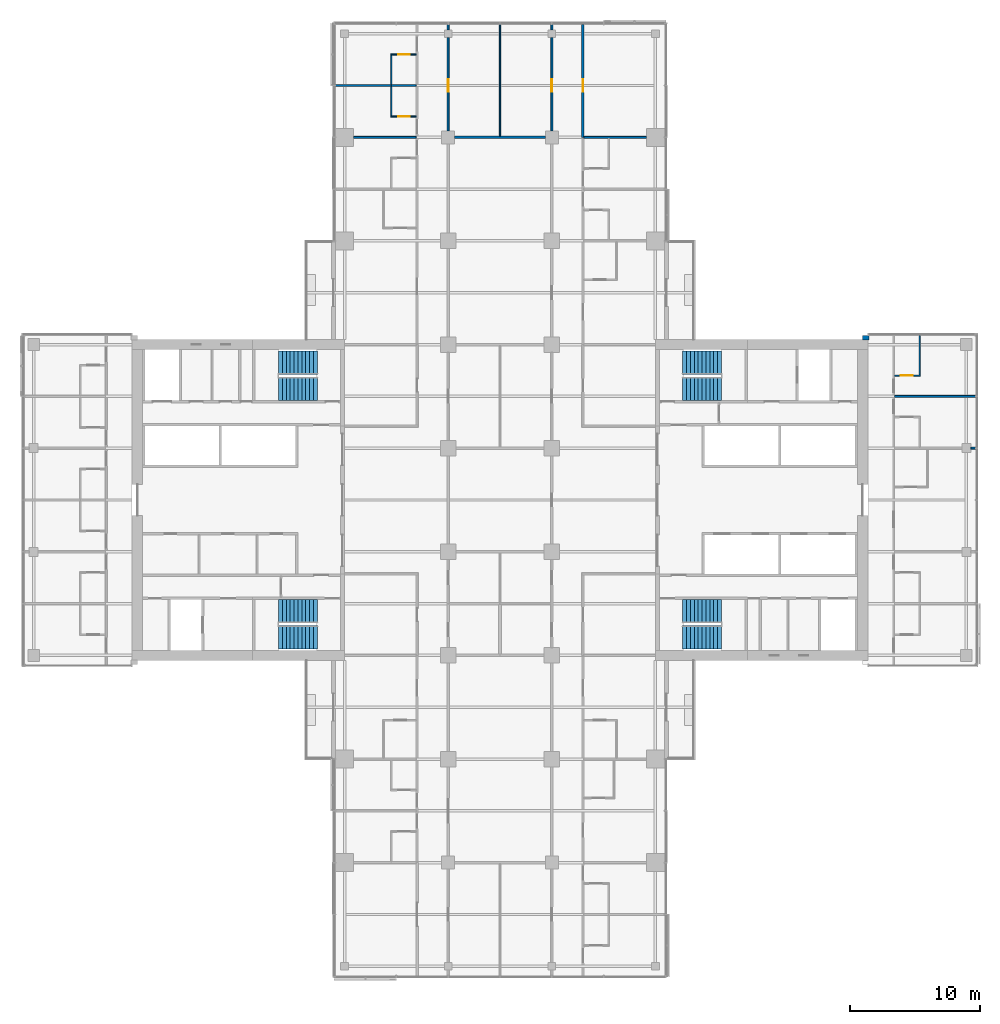
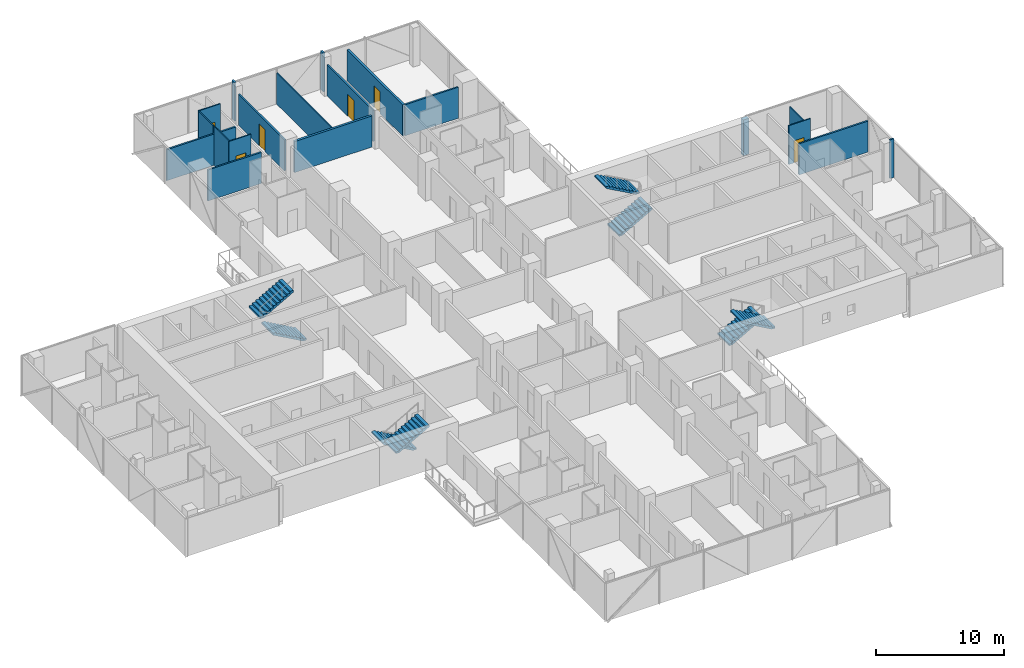
# One storey, part 22 of 27: 19 walls, 8 stair flights, 6 doors, 6 openings, 4 elements without a shape of their own.
"""IFC4 building model written with IfcOpenShell, lengths in metres."""

from ifc_helpers import new_model, si_unit, direction, frame, frame_2d, origin, place, context, subcontext, project, spatial, polyline, rectangle, outline, extrude, material, layer, layer_set, type_object, element, fill, aggregate, save


model = new_model("IFC4")

# Units and contexts
model_context = context("Model", 3, precision=1e-05, world=origin(), true_north=direction((0.0, 1.0)))
body_context = subcontext(model_context, "Body", "Model", "MODEL_VIEW")
ifc_project = project(units=[si_unit("LENGTHUNIT", "METRE"), si_unit("AREAUNIT", "SQUARE_METRE"), si_unit("VOLUMEUNIT", "CUBIC_METRE"), si_unit("PLANEANGLEUNIT", "RADIAN"), si_unit("MASSUNIT", "GRAM", prefix="KILO")], contexts=[model_context])

# Site, building, storey
site_placement = place(None, origin())
site = spatial("IfcSite", under=ifc_project, at=site_placement, CompositionType="ELEMENT")
building_placement = place(site_placement, origin())
building = spatial("IfcBuilding", under=site, at=building_placement, Name="Crosswind Convention Tower", CompositionType="ELEMENT")
storey_placement = place(building_placement, frame((0.0, 0.0, 68.300048828125)))
storey = spatial("IfcBuildingStorey", under=building, at=storey_placement, Name="L11", CompositionType="ELEMENT", Elevation=68.300048828125)

# Wall, opening, door
ifc_material_1 = material(Name="Plasterboard partition", Category="gypsum")
ifc_layer_1 = layer(ifc_material_1, 0.14990234375)
ifc_layer_set_1 = layer_set([ifc_layer_1], Name="CORRIDOR WALL 150")
wall_type_1 = type_object("IfcWallType", Name="CORRIDOR WALL 150", PredefinedType="PARTITIONING", material=ifc_layer_set_1)
wall_1_placement = place(storey_placement, frame((121.0, 128.5, 0.0), z_axis=(0.0, 0.0, 1.0), x_axis=(0.0, 1.0, 0.0)))
wall_1 = element("IfcWall", 1, at=wall_1_placement, inside=storey, type_object=wall_type_1, Name="Corridor Wall 97", PredefinedType="PARTITIONING", context=body_context, shape_type="SweptSolid", body=[
    extrude(rectangle(XDim=7.199951171875, YDim=0.14990234375, at=frame_2d((3.60009765625, 0.0))), origin(), (0.0, 0.0, 1.0), 2.959716796875),
])
opening_1_placement = place(wall_1_placement, frame((3.0, 0.0, 0.0)))
opening_1 = element("IfcOpeningElement", 2, at=opening_1_placement, cuts=wall_1, Name="Opening 11.068", PredefinedType="OPENING", context=body_context, shape_type="SweptSolid", body=[
    extrude(rectangle(XDim=1.0, YDim=2.10009765625, at=frame_2d((0.5, 1.050048828125))), frame((0.0, 0.0849609375, 0.0), z_axis=(0.0, -1.0, 0.0), x_axis=(1.0, 0.0, 0.0)), (0.0, 0.0, 1.0), 0.169921875),
])
ifc_material_2 = material(Name="Timber fire door", Category="wood")
door_type_1 = type_object("IfcDoorType", Name="SERVICE ROOM DOOR 1000X2100", OperationType="NOTDEFINED", PredefinedType="DOOR", material=ifc_material_2)
door_1_placement = place(opening_1_placement, frame((1.0, 0.0, 0.0), z_axis=(0.0, 0.0, 1.0), x_axis=(-1.0, 0.0, 0.0)))
door_1 = element("IfcDoor", 3, at=door_1_placement, inside=storey, type_object=door_type_1, Name="Door 11.068", ObjectType="D3", OperationType="SINGLE_SWING_RIGHT", OverallHeight=2.10009765625, OverallWidth=1.0, PredefinedType="DOOR", context=body_context, shape_type="SweptSolid", body=[
    extrude(rectangle(XDim=1.0, YDim=2.10009765625, at=frame_2d((0.5, 1.050048828125))), frame((0.0, 0.02490234375, 0.0), z_axis=(0.0, -1.0, 0.0), x_axis=(1.0, 0.0, 0.0)), (0.0, 0.0, 1.0), 0.050048828125),
])
fill(opening_1, door_1)

# Wall
wall_2_placement = place(storey_placement, frame((121.0, 136.300048828125, 0.0), z_axis=(0.0, 0.0, 1.0), x_axis=(0.0, 1.0, 0.0)))
element("IfcWall", 4, at=wall_2_placement, inside=storey, type_object=wall_type_1, Name="Corridor Wall 98", PredefinedType="PARTITIONING", context=body_context, shape_type="SweptSolid", body=[
    extrude(rectangle(XDim=0.39990234375, YDim=0.14990234375, at=frame_2d((0.199951171875, 0.0))), origin(), (0.0, 0.0, 1.0), 3.699951171875),
])

# Wall, opening, door
wall_3_placement = place(storey_placement, frame((129.0, 128.5, 0.0), z_axis=(0.0, 0.0, 1.0), x_axis=(0.0, 1.0, 0.0)))
wall_3 = element("IfcWall", 5, at=wall_3_placement, inside=storey, type_object=wall_type_1, Name="Corridor Wall 113", PredefinedType="PARTITIONING", context=body_context, shape_type="SweptSolid", body=[
    extrude(rectangle(XDim=7.199951171875, YDim=0.14990234375, at=frame_2d((3.60009765625, 0.0))), origin(), (0.0, 0.0, 1.0), 2.959716796875),
])
opening_2_placement = place(wall_3_placement, frame((3.0, 0.0, 0.0)))
opening_2 = element("IfcOpeningElement", 6, at=opening_2_placement, cuts=wall_3, Name="Opening 11.069", PredefinedType="OPENING", context=body_context, shape_type="SweptSolid", body=[
    extrude(rectangle(XDim=1.0, YDim=2.10009765625, at=frame_2d((0.5, 1.050048828125))), frame((0.0, 0.0849609375, 0.0), z_axis=(0.0, -1.0, 0.0), x_axis=(1.0, 0.0, 0.0)), (0.0, 0.0, 1.0), 0.169921875),
])
door_2_placement = place(opening_2_placement, origin())
door_2 = element("IfcDoor", 7, at=door_2_placement, inside=storey, type_object=door_type_1, Name="Door 11.069", ObjectType="D3", OperationType="SINGLE_SWING_LEFT", OverallHeight=2.10009765625, OverallWidth=1.0, PredefinedType="DOOR", context=body_context, shape_type="SweptSolid", body=[
    extrude(rectangle(XDim=1.0, YDim=2.10009765625, at=frame_2d((0.5, 1.050048828125))), frame((0.0, 0.02490234375, 0.0), z_axis=(0.0, -1.0, 0.0), x_axis=(1.0, 0.0, 0.0)), (0.0, 0.0, 1.0), 0.050048828125),
])
fill(opening_2, door_2)

# Walls
wall_4_placement = place(storey_placement, frame((129.0, 136.300048828125, 0.0), z_axis=(0.0, 0.0, 1.0), x_axis=(0.0, 1.0, 0.0)))
element("IfcWall", 8, at=wall_4_placement, inside=storey, type_object=wall_type_1, Name="Corridor Wall 114", PredefinedType="PARTITIONING", context=body_context, shape_type="SweptSolid", body=[
    extrude(rectangle(XDim=0.39990234375, YDim=0.14990234375, at=frame_2d((0.199951171875, 0.0))), origin(), (0.0, 0.0, 1.0), 3.699951171875),
])
ifc_material_3 = material(Name="Acoustic plasterboard partition", Category="gypsum")
ifc_layer_2 = layer(ifc_material_3, 0.14990234375)
ifc_layer_set_2 = layer_set([ifc_layer_2], Name="GUEST ROOM WALL 150")
wall_type_2 = type_object("IfcWallType", Name="GUEST ROOM WALL 150", PredefinedType="PARTITIONING", material=ifc_layer_set_2)
wall_5_placement = place(storey_placement, frame((161.35009765625, 104.0, 0.0), z_axis=(0.0, 0.0, 1.0), x_axis=(1.0, 0.0, 0.0)))
element("IfcWall", 9, at=wall_5_placement, inside=storey, type_object=wall_type_2, Name="Guest Room Wall 42", PredefinedType="PARTITIONING", context=body_context, shape_type="SweptSolid", body=[
    extrude(rectangle(XDim=0.349853515625, YDim=0.14990234375, at=frame_2d((0.1748046875, 0.0))), origin(), (0.0, 0.0, 1.0), 3.699951171875),
])
wall_6_placement = place(storey_placement, frame((155.47509765625, 108.0, 0.0), z_axis=(0.0, 0.0, 1.0), x_axis=(1.0, 0.0, 0.0)))
element("IfcWall", 10, at=wall_6_placement, inside=storey, type_object=wall_type_2, Name="Guest Room Wall 48", PredefinedType="PARTITIONING", context=body_context, shape_type="SweptSolid", body=[
    extrude(rectangle(XDim=6.224853515625, YDim=0.14990234375, at=frame_2d((3.1123046875, 0.0))), origin(), (0.0, 0.0, 1.0), 2.962646484375),
])
for number, where, z_axis, x_axis, name in (
    (11, (113.699951171875, 128.0, 0.0), (0.0, 0.0, 1.0), (1.0, 0.0, 0.0), "Guest Room Wall 62"),
    (12, (131.47509765625, 128.0, 0.0), (0.0, 0.0, 1.0), (1.0, 0.0, 0.0), "Guest Room Wall 64"),
):
    element("IfcWall", number, at=place(storey_placement, frame(where, z_axis=z_axis, x_axis=x_axis)), inside=storey, type_object=wall_type_2, Name=name, PredefinedType="PARTITIONING", context=body_context, shape_type="SweptSolid", body=[
        extrude(rectangle(XDim=4.824951171875, YDim=0.14990234375, at=frame_2d((2.41259765625, 0.0))), origin(), (0.0, 0.0, 1.0), 2.959716796875),
    ])
wall_7_placement = place(storey_placement, frame((112.300048828125, 132.0, 0.0), z_axis=(0.0, 0.0, 1.0), x_axis=(1.0, 0.0, 0.0)))
element("IfcWall", 13, at=wall_7_placement, inside=storey, type_object=wall_type_2, Name="Guest Room Wall 66", PredefinedType="PARTITIONING", context=body_context, shape_type="SweptSolid", body=[
    extrude(rectangle(XDim=6.224853515625, YDim=0.14990234375, at=frame_2d((3.1123046875, 0.0))), origin(), (0.0, 0.0, 1.0), 2.962646484375),
])
ifc_material_4 = material(Name="Double plasterboard partition", Category="gypsum")
ifc_layer_3 = layer(ifc_material_4, 0.199951171875)
ifc_layer_set_3 = layer_set([ifc_layer_3], Name="HALL WALL 200")
wall_type_3 = type_object("IfcWallType", Name="HALL WALL 200", PredefinedType="PARTITIONING", material=ifc_layer_set_3)
wall_8_placement = place(storey_placement, frame((121.5, 128.0, 0.0), z_axis=(0.0, 0.0, 1.0), x_axis=(1.0, 0.0, 0.0)))
element("IfcWall", 14, at=wall_8_placement, inside=storey, type_object=wall_type_3, Name="Hall Wall 63", PredefinedType="PARTITIONING", context=body_context, shape_type="SweptSolid", body=[
    extrude(rectangle(XDim=7.0, YDim=0.199951171875, at=frame_2d((3.5, 0.0))), origin(), (0.0, 0.0, 1.0), 2.959716796875),
])

# Wall, opening, door
wall_9_placement = place(storey_placement, frame((131.39990234375, 128.0, 0.0), z_axis=(0.0, 0.0, 1.0), x_axis=(0.0, 1.0, 0.0)))
wall_9 = element("IfcWall", 15, at=wall_9_placement, inside=storey, type_object=wall_type_3, Name="Hall Wall 119", PredefinedType="PARTITIONING", context=body_context, shape_type="SweptSolid", body=[
    extrude(rectangle(XDim=8.699951171875, YDim=0.199951171875, at=frame_2d((4.35009765625, 0.0))), origin(), (0.0, 0.0, 1.0), 2.959716796875),
])
opening_3_placement = place(wall_9_placement, frame((3.5, 0.0, 0.0)))
opening_3 = element("IfcOpeningElement", 16, at=opening_3_placement, cuts=wall_9, Name="Opening 11.011", PredefinedType="OPENING", context=body_context, shape_type="SweptSolid", body=[
    extrude(rectangle(XDim=1.0, YDim=2.10009765625, at=frame_2d((0.5, 1.050048828125))), frame((0.0, 0.10986328125, 0.0), z_axis=(0.0, -1.0, 0.0), x_axis=(1.0, 0.0, 0.0)), (0.0, 0.0, 1.0), 0.219970703125),
])
door_type_2 = type_object("IfcDoorType", Name="MEETING ROOM DOOR 1000X2100", OperationType="NOTDEFINED", PredefinedType="DOOR", material=ifc_material_2)
door_3_placement = place(opening_3_placement, origin())
door_3 = element("IfcDoor", 17, at=door_3_placement, inside=storey, type_object=door_type_2, Name="Door 11.011", ObjectType="D13", OperationType="SINGLE_SWING_RIGHT", OverallHeight=2.10009765625, OverallWidth=1.0, PredefinedType="DOOR", context=body_context, shape_type="SweptSolid", body=[
    extrude(rectangle(XDim=1.0, YDim=2.10009765625, at=frame_2d((0.5, 1.050048828125))), frame((0.0, 0.02490234375, 0.0), z_axis=(0.0, -1.0, 0.0), x_axis=(1.0, 0.0, 0.0)), (0.0, 0.0, 1.0), 0.050048828125),
])
fill(opening_3, door_3)

# Walls
ifc_layer_4 = layer(ifc_material_1, 0.10009765625)
ifc_layer_set_4 = layer_set([ifc_layer_4], Name="PARTITION 100")
wall_type_4 = type_object("IfcWallType", Name="PARTITION 100", PredefinedType="PARTITIONING", material=ifc_layer_set_4)
wall_10_placement = place(storey_placement, frame((125.0, 128.10009765625, 0.0), z_axis=(0.0, 0.0, 1.0), x_axis=(0.0, 1.0, 0.0)))
element("IfcWall", 18, at=wall_10_placement, inside=storey, type_object=wall_type_4, Name="Partition 103", PredefinedType="PARTITIONING", context=body_context, shape_type="SweptSolid", body=[
    extrude(rectangle(XDim=8.599853515625, YDim=0.10009765625, at=frame_2d((4.2998046875, 0.0))), origin(), (0.0, 0.0, 1.0), 2.962646484375),
])
ifc_material_5 = material(Name="Terracotta rainscreen", Category="ceramic")
ifc_layer_5 = layer(ifc_material_5, 0.02001953125)
ifc_material_6 = material(Name="Mineral wool insulation", Category="insulation")
ifc_layer_6 = layer(ifc_material_6, 0.10009765625)
ifc_material_7 = material(Name="Concrete blockwork", Category="masonry")
ifc_layer_7 = layer(ifc_material_7, 0.236083984375)
ifc_layer_set_5 = layer_set([ifc_layer_5, ifc_layer_6, ifc_layer_7], Name="TERRACOTTA CORNER INFILL WALL 356")
wall_type_5 = type_object("IfcWallType", Name="TERRACOTTA CORNER INFILL WALL 356", PredefinedType="SOLIDWALL", material=ifc_layer_set_5)
wall_11_placement = place(storey_placement, frame((153.0, 112.52197265625, 0.0), z_axis=(0.0, 0.0, 1.0), x_axis=(1.0, 0.0, 0.0)))
element("IfcWall", 19, at=wall_11_placement, inside=storey, type_object=wall_type_5, Name="Core corner infill wall L11 1", PredefinedType="SOLIDWALL", context=body_context, shape_type="SweptSolid", body=[
    extrude(rectangle(XDim=0.5048828125, YDim=0.35595703125, at=frame_2d((0.25244140625, 0.0))), origin(), (0.0, 0.0, 1.0), 3.419921875),
])

# Wall, opening, door
ifc_material_8 = material(Name="Water-resistant plasterboard partition", Category="gypsum")
ifc_layer_8 = layer(ifc_material_8, 0.10009765625)
ifc_layer_set_6 = layer_set([ifc_layer_8], Name="WET ROOM PARTITION 100")
wall_type_6 = type_object("IfcWallType", Name="WET ROOM PARTITION 100", PredefinedType="PLUMBINGWALL", material=ifc_layer_set_6)
wall_12_placement = place(storey_placement, frame((155.47509765625, 109.60009765625, 0.0), z_axis=(0.0, 0.0, 1.0), x_axis=(1.0, 0.0, 0.0)))
wall_12 = element("IfcWall", 20, at=wall_12_placement, inside=storey, type_object=wall_type_6, Name="Wet Room Partition 49", PredefinedType="PLUMBINGWALL", context=body_context, shape_type="SweptSolid", body=[
    extrude(rectangle(XDim=1.974853515625, YDim=0.10009765625, at=frame_2d((0.9873046875, 0.0))), origin(), (0.0, 0.0, 1.0), 3.699951171875),
])
opening_4_placement = place(wall_12_placement, frame((0.47509765625, 0.0, 0.0)))
opening_4 = element("IfcOpeningElement", 21, at=opening_4_placement, cuts=wall_12, Name="Opening 11.044", PredefinedType="OPENING", context=body_context, shape_type="SweptSolid", body=[
    extrude(rectangle(XDim=0.89990234375, YDim=2.10009765625, at=frame_2d((0.449951171875, 1.050048828125))), frame((0.0, 0.06005859375, 0.0), z_axis=(0.0, -1.0, 0.0), x_axis=(1.0, 0.0, 0.0)), (0.0, 0.0, 1.0), 0.1201171875),
])
ifc_material_9 = material(Name="Timber door", Category="wood")
door_type_3 = type_object("IfcDoorType", Name="EN-SUITE DOOR 900X2100", OperationType="NOTDEFINED", PredefinedType="DOOR", material=ifc_material_9)
door_4_placement = place(opening_4_placement, origin())
door_4 = element("IfcDoor", 22, at=door_4_placement, inside=storey, type_object=door_type_3, Name="Door 11.044", ObjectType="D2", OperationType="SINGLE_SWING_RIGHT", OverallHeight=2.10009765625, OverallWidth=0.89990234375, PredefinedType="DOOR", context=body_context, shape_type="SweptSolid", body=[
    extrude(rectangle(XDim=0.89990234375, YDim=2.10009765625, at=frame_2d((0.449951171875, 1.050048828125))), frame((0.0, 0.02490234375, 0.0), z_axis=(0.0, -1.0, 0.0), x_axis=(1.0, 0.0, 0.0)), (0.0, 0.0, 1.0), 0.050048828125),
])
fill(opening_4, door_4)

wall_13_placement = place(storey_placement, frame((116.550048828125, 129.60009765625, 0.0), z_axis=(0.0, 0.0, 1.0), x_axis=(1.0, 0.0, 0.0)))
wall_13 = element("IfcWall", 23, at=wall_13_placement, inside=storey, type_object=wall_type_6, Name="Wet Room Partition 65", PredefinedType="PLUMBINGWALL", context=body_context, shape_type="SweptSolid", body=[
    extrude(rectangle(XDim=1.974853515625, YDim=0.10009765625, at=frame_2d((0.9873046875, 0.0))), origin(), (0.0, 0.0, 1.0), 3.699951171875),
])
opening_5_placement = place(wall_13_placement, frame((0.60009765625, 0.0, 0.0)))
opening_5 = element("IfcOpeningElement", 24, at=opening_5_placement, cuts=wall_13, Name="Opening 11.017", PredefinedType="OPENING", context=body_context, shape_type="SweptSolid", body=[
    extrude(rectangle(XDim=0.89990234375, YDim=2.10009765625, at=frame_2d((0.449951171875, 1.050048828125))), frame((0.0, 0.06005859375, 0.0), z_axis=(0.0, -1.0, 0.0), x_axis=(1.0, 0.0, 0.0)), (0.0, 0.0, 1.0), 0.1201171875),
])
door_5_placement = place(opening_5_placement, origin())
door_5 = element("IfcDoor", 25, at=door_5_placement, inside=storey, type_object=door_type_3, Name="Door 11.017", ObjectType="D2", OperationType="SINGLE_SWING_RIGHT", OverallHeight=2.10009765625, OverallWidth=0.89990234375, PredefinedType="DOOR", context=body_context, shape_type="SweptSolid", body=[
    extrude(rectangle(XDim=0.89990234375, YDim=2.10009765625, at=frame_2d((0.449951171875, 1.050048828125))), frame((0.0, 0.02490234375, 0.0), z_axis=(0.0, -1.0, 0.0), x_axis=(1.0, 0.0, 0.0)), (0.0, 0.0, 1.0), 0.050048828125),
])
fill(opening_5, door_5)

wall_14_placement = place(storey_placement, frame((116.550048828125, 134.39990234375, 0.0), z_axis=(0.0, 0.0, 1.0), x_axis=(1.0, 0.0, 0.0)))
wall_14 = element("IfcWall", 26, at=wall_14_placement, inside=storey, type_object=wall_type_6, Name="Wet Room Partition 67", PredefinedType="PLUMBINGWALL", context=body_context, shape_type="SweptSolid", body=[
    extrude(rectangle(XDim=1.974853515625, YDim=0.10009765625, at=frame_2d((0.9873046875, 0.0))), origin(), (0.0, 0.0, 1.0), 3.699951171875),
])
opening_6_placement = place(wall_14_placement, frame((0.60009765625, 0.0, 0.0)))
opening_6 = element("IfcOpeningElement", 27, at=opening_6_placement, cuts=wall_14, Name="Opening 11.019", PredefinedType="OPENING", context=body_context, shape_type="SweptSolid", body=[
    extrude(rectangle(XDim=0.89990234375, YDim=2.10009765625, at=frame_2d((0.449951171875, 1.050048828125))), frame((0.0, 0.06005859375, 0.0), z_axis=(0.0, -1.0, 0.0), x_axis=(1.0, 0.0, 0.0)), (0.0, 0.0, 1.0), 0.1201171875),
])
door_6_placement = place(opening_6_placement, frame((0.89990234375, 0.0, 0.0), z_axis=(0.0, 0.0, 1.0), x_axis=(-1.0, 0.0, 0.0)))
door_6 = element("IfcDoor", 28, at=door_6_placement, inside=storey, type_object=door_type_3, Name="Door 11.019", ObjectType="D2", OperationType="SINGLE_SWING_LEFT", OverallHeight=2.10009765625, OverallWidth=0.89990234375, PredefinedType="DOOR", context=body_context, shape_type="SweptSolid", body=[
    extrude(rectangle(XDim=0.89990234375, YDim=2.10009765625, at=frame_2d((0.449951171875, 1.050048828125))), frame((0.0, 0.02490234375, 0.0), z_axis=(0.0, -1.0, 0.0), x_axis=(1.0, 0.0, 0.0)), (0.0, 0.0, 1.0), 0.050048828125),
])
fill(opening_6, door_6)

# Walls
for number, where, z_axis, x_axis, name in (
    (29, (116.60009765625, 129.64990234375, 0.0), (0.0, 0.0, 1.0), (0.0, 1.0, 0.0), "Wet Room Partition 80"),
    (30, (116.60009765625, 132.074951171875, 0.0), (0.0, 0.0, 1.0), (0.0, 1.0, 0.0), "Wet Room Partition 81"),
):
    element("IfcWall", number, at=place(storey_placement, frame(where, z_axis=z_axis, x_axis=x_axis)), inside=storey, type_object=wall_type_6, Name=name, PredefinedType="PLUMBINGWALL", context=body_context, shape_type="SweptSolid", body=[
        extrude(rectangle(XDim=2.275146484375, YDim=0.10009765625, at=frame_2d((1.1376953125, 0.0))), origin(), (0.0, 0.0, 1.0), 3.699951171875),
    ])
wall_15_placement = place(storey_placement, frame((157.39990234375, 109.64990234375, 0.0), z_axis=(0.0, 0.0, 1.0), x_axis=(0.0, 1.0, 0.0)))
element("IfcWall", 31, at=wall_15_placement, inside=storey, type_object=wall_type_6, Name="Wet Room Partition 131", PredefinedType="PLUMBINGWALL", context=body_context, shape_type="SweptSolid", body=[
    extrude(rectangle(XDim=3.050048828125, YDim=0.10009765625, at=frame_2d((1.52490234375, 0.0))), origin(), (0.0, 0.0, 1.0), 2.962646484375),
])

# Stair, stair flights
ifc_material_10 = material(Name="Concrete C40/50", Category="concrete")
stair_type = type_object("IfcStairType", Name="Exit stair 1800 wide, 2 flights of 11 risers", PredefinedType="HALF_TURN_STAIR", material=ifc_material_10)
stair_1_placement = place(storey_placement, origin())
stair_1 = element("IfcStair", 32, at=stair_1_placement, inside=storey, type_object=stair_type, Name="Exit stair ST1 L11", ObjectType="ST5", PredefinedType="HALF_TURN_STAIR")
stair_flight_type = type_object("IfcStairFlightType", Name="Stair flight 1800 wide, 11 risers (SF3)", PredefinedType="STRAIGHT", material=ifc_material_10)
stair_flight_1_placement = place(storey_placement, frame((139.10009765625, 108.60009765625, 0.0), z_axis=(0.0, 0.0, 1.0), x_axis=(1.0, 0.0, 0.0)))
stair_flight_1 = element("IfcStairFlight", 33, at=stair_flight_1_placement, type_object=stair_flight_type, Name="ST1 flight 1", NumberOfRisers=11, NumberOfTreads=10, PredefinedType="STRAIGHT", RiserHeight=0.168181818, TreadLength=0.3, context=body_context, shape_type="SweptSolid", body=[
    extrude(outline(polyline([(0.0, 0.0), (0.0, 0.168212890625), (0.300048828125, 0.168212890625), (0.300048828125, 0.33642578125), (0.60009765625, 0.33642578125), (0.60009765625, 0.504638671875), (0.89990234375, 0.504638671875), (0.89990234375, 0.672607421875), (1.199951171875, 0.672607421875), (1.199951171875, 0.8408203125), (1.5, 0.8408203125), (1.5, 1.009033203125), (1.800048828125, 1.009033203125), (1.800048828125, 1.17724609375), (2.10009765625, 1.17724609375), (2.10009765625, 1.345458984375), (2.39990234375, 1.345458984375), (2.39990234375, 1.513671875), (2.699951171875, 1.513671875), (2.699951171875, 1.681884765625), (3.0, 1.681884765625), (3.0, 1.85009765625), (3.0, 1.510009765625), (0.306640625, 0.0), (0.0, 0.0)])), frame((0.0, 0.89990234375, 0.0), z_axis=(0.0, -1.0, 0.0), x_axis=(1.0, 0.0, 0.0)), (0.0, 0.0, 1.0), 1.800048828125),
])
stair_flight_2_placement = place(storey_placement, frame((142.10009765625, 110.60009765625, 1.849853515625), z_axis=(0.0, 0.0, 1.0), x_axis=(-1.0, 0.0, 0.0)))
stair_flight_2 = element("IfcStairFlight", 34, at=stair_flight_2_placement, type_object=stair_flight_type, Name="ST1 flight 2", NumberOfRisers=11, NumberOfTreads=10, PredefinedType="STRAIGHT", RiserHeight=0.168181818, TreadLength=0.3, context=body_context, shape_type="SweptSolid", body=[
    extrude(outline(polyline([(0.0, 0.0), (0.0, 0.168212890625), (0.300048828125, 0.168212890625), (0.300048828125, 0.33642578125), (0.60009765625, 0.33642578125), (0.60009765625, 0.504638671875), (0.89990234375, 0.504638671875), (0.89990234375, 0.672607421875), (1.199951171875, 0.672607421875), (1.199951171875, 0.8408203125), (1.5, 0.8408203125), (1.5, 1.009033203125), (1.800048828125, 1.009033203125), (1.800048828125, 1.17724609375), (2.10009765625, 1.17724609375), (2.10009765625, 1.345458984375), (2.39990234375, 1.345458984375), (2.39990234375, 1.513671875), (2.699951171875, 1.513671875), (2.699951171875, 1.681884765625), (3.0, 1.681884765625), (3.0, 1.85009765625), (3.0, 1.510009765625), (0.306640625, 0.0), (0.0, 0.0)])), frame((0.0, 0.89990234375, 0.0), z_axis=(0.0, -1.0, 0.0), x_axis=(1.0, 0.0, 0.0)), (0.0, 0.0, 1.0), 1.800048828125),
])
aggregate(stair_1, [stair_flight_1, stair_flight_2])

stair_2_placement = place(storey_placement, origin())
stair_2 = element("IfcStair", 35, at=stair_2_placement, inside=storey, type_object=stair_type, Name="Exit stair ST2 L11", ObjectType="ST5", PredefinedType="HALF_TURN_STAIR")
stair_flight_3_placement = place(storey_placement, frame((139.10009765625, 91.39990234375, 0.0), z_axis=(0.0, 0.0, 1.0), x_axis=(1.0, 0.0, 0.0)))
stair_flight_3 = element("IfcStairFlight", 36, at=stair_flight_3_placement, type_object=stair_flight_type, Name="ST2 flight 1", NumberOfRisers=11, NumberOfTreads=10, PredefinedType="STRAIGHT", RiserHeight=0.168181818, TreadLength=0.3, context=body_context, shape_type="SweptSolid", body=[
    extrude(outline(polyline([(0.0, 0.0), (0.0, 0.168212890625), (0.300048828125, 0.168212890625), (0.300048828125, 0.33642578125), (0.60009765625, 0.33642578125), (0.60009765625, 0.504638671875), (0.89990234375, 0.504638671875), (0.89990234375, 0.672607421875), (1.199951171875, 0.672607421875), (1.199951171875, 0.8408203125), (1.5, 0.8408203125), (1.5, 1.009033203125), (1.800048828125, 1.009033203125), (1.800048828125, 1.17724609375), (2.10009765625, 1.17724609375), (2.10009765625, 1.345458984375), (2.39990234375, 1.345458984375), (2.39990234375, 1.513671875), (2.699951171875, 1.513671875), (2.699951171875, 1.681884765625), (3.0, 1.681884765625), (3.0, 1.85009765625), (3.0, 1.510009765625), (0.306640625, 0.0), (0.0, 0.0)])), frame((0.0, 0.89990234375, 0.0), z_axis=(0.0, -1.0, 0.0), x_axis=(1.0, 0.0, 0.0)), (0.0, 0.0, 1.0), 1.800048828125),
])
stair_flight_4_placement = place(storey_placement, frame((142.10009765625, 89.39990234375, 1.849853515625), z_axis=(0.0, 0.0, 1.0), x_axis=(-1.0, 0.0, 0.0)))
stair_flight_4 = element("IfcStairFlight", 37, at=stair_flight_4_placement, type_object=stair_flight_type, Name="ST2 flight 2", NumberOfRisers=11, NumberOfTreads=10, PredefinedType="STRAIGHT", RiserHeight=0.168181818, TreadLength=0.3, context=body_context, shape_type="SweptSolid", body=[
    extrude(outline(polyline([(0.0, 0.0), (0.0, 0.168212890625), (0.300048828125, 0.168212890625), (0.300048828125, 0.33642578125), (0.60009765625, 0.33642578125), (0.60009765625, 0.504638671875), (0.89990234375, 0.504638671875), (0.89990234375, 0.672607421875), (1.199951171875, 0.672607421875), (1.199951171875, 0.8408203125), (1.5, 0.8408203125), (1.5, 1.009033203125), (1.800048828125, 1.009033203125), (1.800048828125, 1.17724609375), (2.10009765625, 1.17724609375), (2.10009765625, 1.345458984375), (2.39990234375, 1.345458984375), (2.39990234375, 1.513671875), (2.699951171875, 1.513671875), (2.699951171875, 1.681884765625), (3.0, 1.681884765625), (3.0, 1.85009765625), (3.0, 1.510009765625), (0.306640625, 0.0), (0.0, 0.0)])), frame((0.0, 0.89990234375, 0.0), z_axis=(0.0, -1.0, 0.0), x_axis=(1.0, 0.0, 0.0)), (0.0, 0.0, 1.0), 1.800048828125),
])
aggregate(stair_2, [stair_flight_3, stair_flight_4])

stair_3_placement = place(storey_placement, origin())
stair_3 = element("IfcStair", 38, at=stair_3_placement, inside=storey, type_object=stair_type, Name="Exit stair ST3 L11", ObjectType="ST5", PredefinedType="HALF_TURN_STAIR")
stair_flight_5_placement = place(storey_placement, frame((110.89990234375, 91.39990234375, 0.0), z_axis=(0.0, 0.0, 1.0), x_axis=(-1.0, 0.0, 0.0)))
stair_flight_5 = element("IfcStairFlight", 39, at=stair_flight_5_placement, type_object=stair_flight_type, Name="ST3 flight 1", NumberOfRisers=11, NumberOfTreads=10, PredefinedType="STRAIGHT", RiserHeight=0.168181818, TreadLength=0.3, context=body_context, shape_type="SweptSolid", body=[
    extrude(outline(polyline([(0.0, 0.0), (0.0, 0.168212890625), (0.300048828125, 0.168212890625), (0.300048828125, 0.33642578125), (0.60009765625, 0.33642578125), (0.60009765625, 0.504638671875), (0.89990234375, 0.504638671875), (0.89990234375, 0.672607421875), (1.199951171875, 0.672607421875), (1.199951171875, 0.8408203125), (1.5, 0.8408203125), (1.5, 1.009033203125), (1.800048828125, 1.009033203125), (1.800048828125, 1.17724609375), (2.10009765625, 1.17724609375), (2.10009765625, 1.345458984375), (2.39990234375, 1.345458984375), (2.39990234375, 1.513671875), (2.699951171875, 1.513671875), (2.699951171875, 1.681884765625), (3.0, 1.681884765625), (3.0, 1.85009765625), (3.0, 1.510009765625), (0.306640625, 0.0), (0.0, 0.0)])), frame((0.0, 0.89990234375, 0.0), z_axis=(0.0, -1.0, 0.0), x_axis=(1.0, 0.0, 0.0)), (0.0, 0.0, 1.0), 1.800048828125),
])
stair_flight_6_placement = place(storey_placement, frame((107.89990234375, 89.39990234375, 1.849853515625), z_axis=(0.0, 0.0, 1.0), x_axis=(1.0, 0.0, 0.0)))
stair_flight_6 = element("IfcStairFlight", 40, at=stair_flight_6_placement, type_object=stair_flight_type, Name="ST3 flight 2", NumberOfRisers=11, NumberOfTreads=10, PredefinedType="STRAIGHT", RiserHeight=0.168181818, TreadLength=0.3, context=body_context, shape_type="SweptSolid", body=[
    extrude(outline(polyline([(0.0, 0.0), (0.0, 0.168212890625), (0.300048828125, 0.168212890625), (0.300048828125, 0.33642578125), (0.60009765625, 0.33642578125), (0.60009765625, 0.504638671875), (0.89990234375, 0.504638671875), (0.89990234375, 0.672607421875), (1.199951171875, 0.672607421875), (1.199951171875, 0.8408203125), (1.5, 0.8408203125), (1.5, 1.009033203125), (1.800048828125, 1.009033203125), (1.800048828125, 1.17724609375), (2.10009765625, 1.17724609375), (2.10009765625, 1.345458984375), (2.39990234375, 1.345458984375), (2.39990234375, 1.513671875), (2.699951171875, 1.513671875), (2.699951171875, 1.681884765625), (3.0, 1.681884765625), (3.0, 1.85009765625), (3.0, 1.510009765625), (0.306640625, 0.0), (0.0, 0.0)])), frame((0.0, 0.89990234375, 0.0), z_axis=(0.0, -1.0, 0.0), x_axis=(1.0, 0.0, 0.0)), (0.0, 0.0, 1.0), 1.800048828125),
])
aggregate(stair_3, [stair_flight_5, stair_flight_6])

stair_4_placement = place(storey_placement, origin())
stair_4 = element("IfcStair", 41, at=stair_4_placement, inside=storey, type_object=stair_type, Name="Exit stair ST4 L11", ObjectType="ST5", PredefinedType="HALF_TURN_STAIR")
stair_flight_7_placement = place(storey_placement, frame((110.89990234375, 108.60009765625, 0.0), z_axis=(0.0, 0.0, 1.0), x_axis=(-1.0, 0.0, 0.0)))
stair_flight_7 = element("IfcStairFlight", 42, at=stair_flight_7_placement, type_object=stair_flight_type, Name="ST4 flight 1", NumberOfRisers=11, NumberOfTreads=10, PredefinedType="STRAIGHT", RiserHeight=0.168181818, TreadLength=0.3, context=body_context, shape_type="SweptSolid", body=[
    extrude(outline(polyline([(0.0, 0.0), (0.0, 0.168212890625), (0.300048828125, 0.168212890625), (0.300048828125, 0.33642578125), (0.60009765625, 0.33642578125), (0.60009765625, 0.504638671875), (0.89990234375, 0.504638671875), (0.89990234375, 0.672607421875), (1.199951171875, 0.672607421875), (1.199951171875, 0.8408203125), (1.5, 0.8408203125), (1.5, 1.009033203125), (1.800048828125, 1.009033203125), (1.800048828125, 1.17724609375), (2.10009765625, 1.17724609375), (2.10009765625, 1.345458984375), (2.39990234375, 1.345458984375), (2.39990234375, 1.513671875), (2.699951171875, 1.513671875), (2.699951171875, 1.681884765625), (3.0, 1.681884765625), (3.0, 1.85009765625), (3.0, 1.510009765625), (0.306640625, 0.0), (0.0, 0.0)])), frame((0.0, 0.89990234375, 0.0), z_axis=(0.0, -1.0, 0.0), x_axis=(1.0, 0.0, 0.0)), (0.0, 0.0, 1.0), 1.800048828125),
])
stair_flight_8_placement = place(storey_placement, frame((107.89990234375, 110.60009765625, 1.849853515625), z_axis=(0.0, 0.0, 1.0), x_axis=(1.0, 0.0, 0.0)))
stair_flight_8 = element("IfcStairFlight", 43, at=stair_flight_8_placement, type_object=stair_flight_type, Name="ST4 flight 2", NumberOfRisers=11, NumberOfTreads=10, PredefinedType="STRAIGHT", RiserHeight=0.168181818, TreadLength=0.3, context=body_context, shape_type="SweptSolid", body=[
    extrude(outline(polyline([(0.0, 0.0), (0.0, 0.168212890625), (0.300048828125, 0.168212890625), (0.300048828125, 0.33642578125), (0.60009765625, 0.33642578125), (0.60009765625, 0.504638671875), (0.89990234375, 0.504638671875), (0.89990234375, 0.672607421875), (1.199951171875, 0.672607421875), (1.199951171875, 0.8408203125), (1.5, 0.8408203125), (1.5, 1.009033203125), (1.800048828125, 1.009033203125), (1.800048828125, 1.17724609375), (2.10009765625, 1.17724609375), (2.10009765625, 1.345458984375), (2.39990234375, 1.345458984375), (2.39990234375, 1.513671875), (2.699951171875, 1.513671875), (2.699951171875, 1.681884765625), (3.0, 1.681884765625), (3.0, 1.85009765625), (3.0, 1.510009765625), (0.306640625, 0.0), (0.0, 0.0)])), frame((0.0, 0.89990234375, 0.0), z_axis=(0.0, -1.0, 0.0), x_axis=(1.0, 0.0, 0.0)), (0.0, 0.0, 1.0), 1.800048828125),
])
aggregate(stair_4, [stair_flight_7, stair_flight_8])

save(model, "model.ifc")
